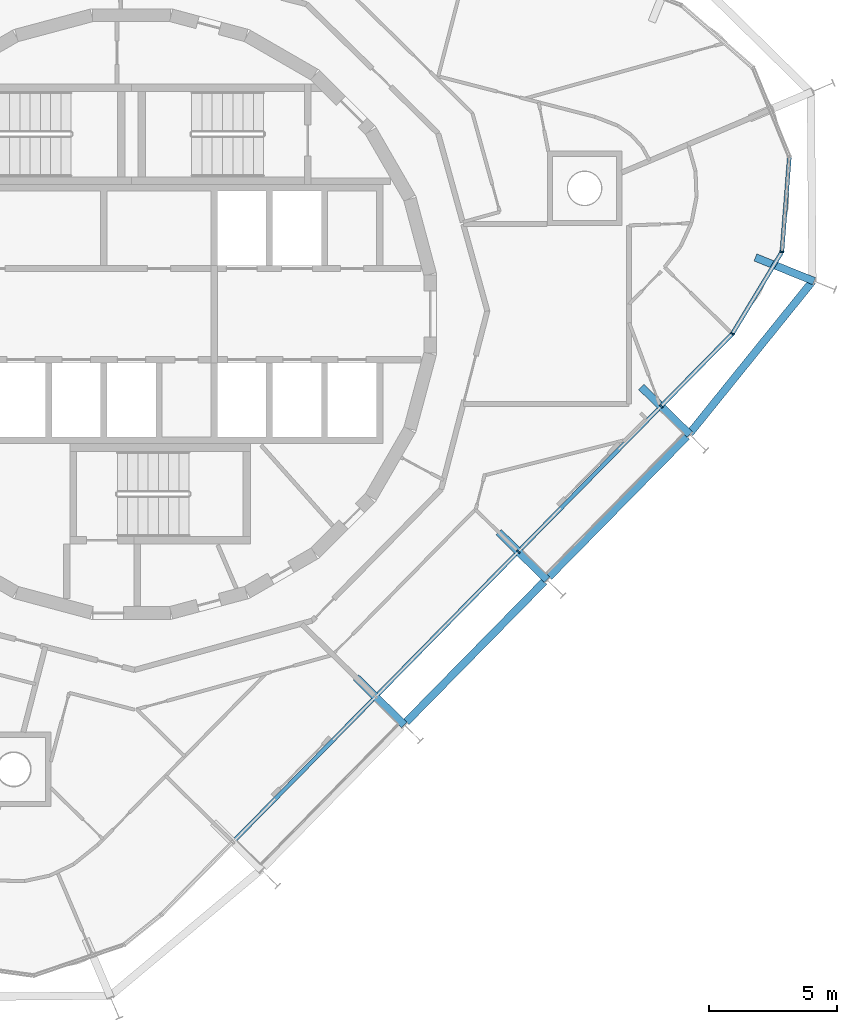
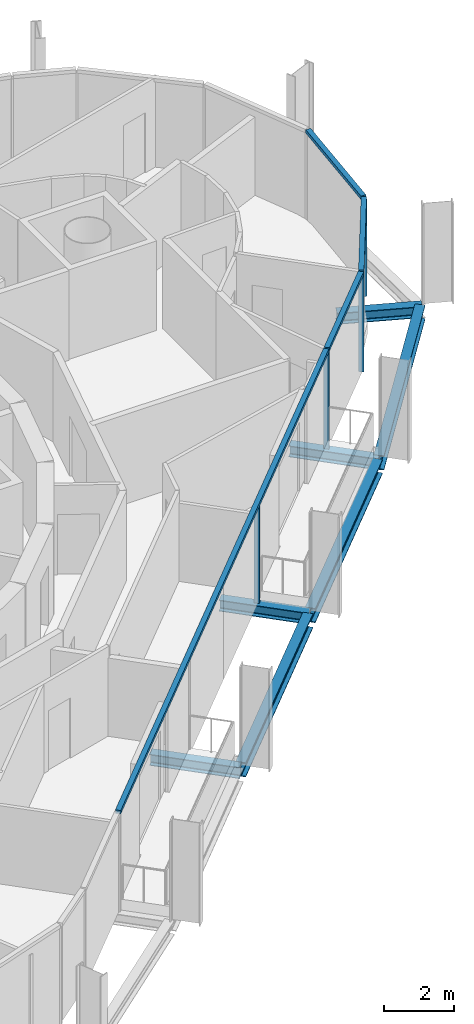
# One storey, part 4 of 15: 8 members, 7 beams, 2 elements without a shape of their own.
"""IFC4 building model written with IfcOpenShell, lengths in metres."""

from ifc_helpers import new_model, si_unit, direction, frame, origin, origin_2d, place, context, subcontext, project, spatial, rectangle, i_section, extrude, material, layer, layer_set, material_profile, profile_set, type_object, element, aggregate, save


model = new_model("IFC4")

# Units and contexts
model_context = context("Model", 3, precision=1e-05, world=origin(), true_north=direction((0.0, 1.0)))
body_context = subcontext(model_context, "Body", "Model", "MODEL_VIEW")
ifc_project = project(units=[si_unit("LENGTHUNIT", "METRE"), si_unit("AREAUNIT", "SQUARE_METRE"), si_unit("VOLUMEUNIT", "CUBIC_METRE"), si_unit("PLANEANGLEUNIT", "RADIAN"), si_unit("MASSUNIT", "GRAM", prefix="KILO")], contexts=[model_context])

# Site, building, storey
site_placement = place(None, origin())
site = spatial("IfcSite", under=ifc_project, at=site_placement, CompositionType="ELEMENT")
building_placement = place(site_placement, origin())
building = spatial("IfcBuilding", under=site, at=building_placement, Name="Spindle Arch Residences", CompositionType="ELEMENT")
storey_placement = place(building_placement, frame((0.0, 0.0, 305.199951171875)))
storey = spatial("IfcBuildingStorey", under=building, at=storey_placement, Name="L78", CompositionType="ELEMENT", Elevation=305.199951171875)

# Curtain wall, members
ifc_material_1 = material(Name="Aluminium bronze unitised frame with tinted glass", Category="aluminium")
ifc_layer_1 = layer(ifc_material_1, 0.159912109375)
ifc_layer_set_1 = layer_set([ifc_layer_1], Name="CW-D corner wall on the fillet arcs")
curtain_wall_type_1 = type_object("IfcCurtainWallType", Name="CW-D corner wall on the fillet arcs", PredefinedType="NOTDEFINED", material=ifc_layer_set_1)
curtain_wall_1_placement = place(storey_placement, origin())
curtain_wall_1 = element("IfcCurtainWall", 1, at=curtain_wall_1_placement, inside=storey, type_object=curtain_wall_type_1, Name="CW-D L78 run 1", PredefinedType="NOTDEFINED")
ifc_material_2 = material(Name="Aluminium bronze anodised mullion", Category="aluminium")
ifc_material_profile_1 = material_profile(ifc_material_2, rectangle(XDim=0.159912109375, YDim=0.06005859375, at=origin_2d()), Name="MU 60x160")
ifc_profile_set_1 = profile_set([ifc_material_profile_1], Name="Aluminium bronze anodised mullion")
member_type_1 = type_object("IfcMemberType", Name="Bronze mullion 60x160", PredefinedType="MULLION", material=ifc_profile_set_1)
member_1_placement = place(storey_placement, frame((20.642333984375, -3.597412109375, -0.3798828125), z_axis=(0.0, 0.0, 1.0), x_axis=(-0.713250449154, 0.7009092643, 0.0)))
member_1 = element("IfcMember", 2, at=member_1_placement, type_object=member_type_1, Name="CW-D mullion 00", PredefinedType="MULLION", context=body_context, shape_type="SweptSolid", body=[
    extrude(rectangle(XDim=0.159912109375, YDim=0.06005859375, at=origin_2d()), origin(), (0.0, 0.0, 1.0), 3.3798828125),
])
member_2_placement = place(storey_placement, frame((23.42578125, -0.76513671875, -0.3798828125), z_axis=(0.0, 0.0, 1.0), x_axis=(-0.855665492936, 0.517529288252, 0.0)))
member_2 = element("IfcMember", 3, at=member_2_placement, type_object=member_type_1, Name="CW-D mullion 01", PredefinedType="MULLION", context=body_context, shape_type="SweptSolid", body=[
    extrude(rectangle(XDim=0.159912109375, YDim=0.06005859375, at=origin_2d()), origin(), (0.0, 0.0, 1.0), 3.3798828125),
])
member_3_placement = place(storey_placement, frame((25.3544921875, 2.423828125, -0.3798828125), z_axis=(0.0, 0.0, 1.0), x_axis=(-0.996917334032, 0.078459091935, 0.0)))
member_3 = element("IfcMember", 4, at=member_3_placement, type_object=member_type_1, Name="CW-D mullion 02", PredefinedType="MULLION", context=body_context, shape_type="SweptSolid", body=[
    extrude(rectangle(XDim=0.159912109375, YDim=0.06005859375, at=origin_2d()), origin(), (0.0, 0.0, 1.0), 3.3798828125),
])

# Curtain wall, member
ifc_material_3 = material(Name="Aluminium bronze unitised frame with tinted glass", Category="aluminium")
ifc_layer_2 = layer(ifc_material_3, 0.159912109375)
ifc_layer_set_2 = layer_set([ifc_layer_2], Name="CW-C typical residential unitised wall")
curtain_wall_type_2 = type_object("IfcCurtainWallType", Name="CW-C typical residential unitised wall", PredefinedType="NOTDEFINED", material=ifc_layer_set_2)
curtain_wall_2_placement = place(storey_placement, origin())
curtain_wall_2 = element("IfcCurtainWall", 5, at=curtain_wall_2_placement, inside=storey, type_object=curtain_wall_type_2, Name="CW-C L78 run 6", PredefinedType="NOTDEFINED")
member_4_placement = place(storey_placement, frame((15.08056640625, -9.257080078125, -0.3798828125), z_axis=(0.0, 0.0, 1.0), x_axis=(-0.713250449154, 0.7009092643, 0.0)))
member_4 = element("IfcMember", 6, at=member_4_placement, type_object=member_type_1, Name="CW-C mullion 00", PredefinedType="MULLION", context=body_context, shape_type="SweptSolid", body=[
    extrude(rectangle(XDim=0.159912109375, YDim=0.06005859375, at=origin_2d()), origin(), (0.0, 0.0, 1.0), 3.3798828125),
])

# Member
ifc_material_4 = material(Name="Aluminium bronze anodised transom", Category="aluminium")
ifc_material_profile_2 = material_profile(ifc_material_4, rectangle(XDim=0.159912109375, YDim=0.1201171875, at=origin_2d()), Name="TR 120x160")
ifc_profile_set_2 = profile_set([ifc_material_profile_2], Name="Aluminium bronze anodised transom")
member_type_2 = type_object("IfcMemberType", Name="Bronze transom 120x160", PredefinedType="USERDEFINED", material=ifc_profile_set_2)
member_5_placement = place(storey_placement, frame((20.663330078125, -3.575927734375, 3.06005859375), z_axis=(0.70089977121, 0.713259777863, 0.0), x_axis=(-0.713259777863, 0.70089977121, 0.0)))
member_5 = element("IfcMember", 7, at=member_5_placement, type_object=member_type_2, Name="CW-D transom 00", ObjectType="TRANSOM", PredefinedType="USERDEFINED", context=body_context, shape_type="SweptSolid", body=[
    extrude(rectangle(XDim=0.159912109375, YDim=0.1201171875, at=origin_2d()), origin(), (0.0, 0.0, 1.0), 3.910888671875),
])

member_6_placement = place(storey_placement, frame((23.441162109375, -0.739501953125, 3.06005859375), z_axis=(0.517517977751, 0.855672333726, 0.0), x_axis=(-0.855672333726, 0.517517977751, 0.0)))
member_6 = element("IfcMember", 8, at=member_6_placement, type_object=member_type_2, Name="CW-D transom 01", ObjectType="TRANSOM", PredefinedType="USERDEFINED", context=body_context, shape_type="SweptSolid", body=[
    extrude(rectangle(XDim=0.159912109375, YDim=0.1201171875, at=origin_2d()), origin(), (0.0, 0.0, 1.0), 3.6669921875),
])

member_7_placement = place(storey_placement, frame((25.356689453125, 2.45361328125, 3.06005859375), z_axis=(0.078498754798, 0.996914211703, 0.0), x_axis=(-0.996914211703, 0.078498754798, 0.0)))
member_7 = element("IfcMember", 9, at=member_7_placement, type_object=member_type_2, Name="CW-D transom 02", ObjectType="TRANSOM", PredefinedType="USERDEFINED", context=body_context, shape_type="SweptSolid", body=[
    extrude(rectangle(XDim=0.159912109375, YDim=0.1201171875, at=origin_2d()), origin(), (0.0, 0.0, 1.0), 3.666748046875),
])

aggregate(curtain_wall_1, [member_1, member_5, member_2, member_6, member_3, member_7])

member_8_placement = place(storey_placement, frame((3.97802734375, -20.55517578125, 3.06005859375), z_axis=(0.700905736119, 0.71325391627, 0.0), x_axis=(-0.71325391627, 0.700905736119, 0.0)))
member_8 = element("IfcMember", 10, at=member_8_placement, type_object=member_type_2, Name="CW-C transom 00", ObjectType="TRANSOM", PredefinedType="USERDEFINED", context=body_context, shape_type="SweptSolid", body=[
    extrude(rectangle(XDim=0.159912109375, YDim=0.1201171875, at=origin_2d()), origin(), (0.0, 0.0, 1.0), 23.745361328125),
])

aggregate(curtain_wall_2, [member_8, member_4])

# Beams
ifc_material_5 = material(Name="Steel S460ML, intumescent coating R 120", Category="steel")
ifc_material_profile_3 = material_profile(ifc_material_5, i_section(OverallWidth=0.300048828125, OverallDepth=0.5, WebThickness=0.014404296875, FlangeThickness=0.028076171875, FilletRadius=0.027099609375, at=origin_2d()), Name="HEB 500")
ifc_profile_set_3 = profile_set([ifc_material_profile_3], Name="Steel S460ML, intumescent coating R 120")
beam_type_1 = type_object("IfcBeamType", Name="Exoskeleton edge beam HEB 500", PredefinedType="BEAM", material=ifc_profile_set_3)
beam_1_placement = place(storey_placement, frame((16.270263671875, -10.24365234375, -0.6298828125), z_axis=(0.700908648812, 0.713251053992, 0.0), x_axis=(-0.713251053992, 0.700908648812, 0.0)))
element("IfcBeam", 11, at=beam_1_placement, inside=storey, type_object=beam_type_1, Name="Exoskeleton edge beam 1", PredefinedType="BEAM", context=body_context, shape_type="SweptSolid", body=[
    extrude(i_section(OverallWidth=0.300048828125, OverallDepth=0.5, WebThickness=0.014404296875, FlangeThickness=0.028076171875, FilletRadius=0.027099609375, at=origin_2d()), origin(), (0.0, 0.0, 1.0), 7.6748046875),
])
beam_2_placement = place(storey_placement, frame((21.763427734375, -4.648681640625, -0.6298828125), z_axis=(0.627986894279, 0.778223914188, 0.0), x_axis=(-0.778223914188, 0.627986894279, 0.0)))
element("IfcBeam", 12, at=beam_2_placement, inside=storey, type_object=beam_type_1, Name="Exoskeleton edge beam 2", PredefinedType="BEAM", context=body_context, shape_type="SweptSolid", body=[
    extrude(i_section(OverallWidth=0.300048828125, OverallDepth=0.5, WebThickness=0.014404296875, FlangeThickness=0.028076171875, FilletRadius=0.027099609375, at=origin_2d()), origin(), (0.0, 0.0, 1.0), 7.611572265625),
])
beam_3_placement = place(storey_placement, frame((10.70849609375, -15.9033203125, -0.6298828125), z_axis=(0.700908648812, 0.713251053992, 0.0), x_axis=(-0.713251053992, 0.700908648812, 0.0)))
element("IfcBeam", 13, at=beam_3_placement, inside=storey, type_object=beam_type_1, Name="Exoskeleton edge beam 20", PredefinedType="BEAM", context=body_context, shape_type="SweptSolid", body=[
    extrude(i_section(OverallWidth=0.300048828125, OverallDepth=0.5, WebThickness=0.014404296875, FlangeThickness=0.028076171875, FilletRadius=0.027099609375, at=origin_2d()), origin(), (0.0, 0.0, 1.0), 7.6748046875),
])
ifc_material_6 = material(Name="Steel S460ML, intumescent coating R 120", Category="steel")
ifc_material_profile_4 = material_profile(ifc_material_6, i_section(OverallWidth=0.300048828125, OverallDepth=0.389892578125, WebThickness=0.010986328125, FlangeThickness=0.01904296875, FilletRadius=0.027099609375, at=origin_2d()), Name="HEA 400")
ifc_profile_set_4 = profile_set([ifc_material_profile_4], Name="Steel S460ML, intumescent coating R 120")
beam_type_2 = type_object("IfcBeamType", Name="Floor outrigger HEA 400", PredefinedType="BEAM", material=ifc_profile_set_4)
for number, where, z_axis, x_axis, name in (
    (14, (16.200439453125, -10.357421875, -0.574951171875), (-0.713252393258, 0.70090728596, 0.0), (-0.70090728596, -0.713252393258, 0.0), "Floor outrigger 1"),
    (15, (21.76220703125, -4.69775390625, -0.574951171875), (-0.713252393258, 0.70090728596, 0.0), (-0.70090728596, -0.713252393258, 0.0), "Floor outrigger 2"),
):
    element("IfcBeam", number, at=place(storey_placement, frame(where, z_axis=z_axis, x_axis=x_axis)), inside=storey, type_object=beam_type_2, Name=name, PredefinedType="BEAM", context=body_context, shape_type="SweptSolid", body=[
        extrude(i_section(OverallWidth=0.300048828125, OverallDepth=0.389892578125, WebThickness=0.010986328125, FlangeThickness=0.01904296875, FilletRadius=0.027099609375, at=origin_2d()), origin(), (0.0, 0.0, 1.0), 2.650146484375),
    ])
beam_4_placement = place(storey_placement, frame((26.609130859375, 1.281494140625, -0.574951171875), z_axis=(-0.927112260651, 0.374783745846, 0.0), x_axis=(-0.374783745846, -0.927112260651, 0.0)))
element("IfcBeam", 16, at=beam_4_placement, inside=storey, type_object=beam_type_2, Name="Floor outrigger 3", PredefinedType="BEAM", context=body_context, shape_type="SweptSolid", body=[
    extrude(i_section(OverallWidth=0.300048828125, OverallDepth=0.389892578125, WebThickness=0.010986328125, FlangeThickness=0.01904296875, FilletRadius=0.027099609375, at=origin_2d()), origin(), (0.0, 0.0, 1.0), 2.466796875),
])
beam_5_placement = place(storey_placement, frame((10.638671875, -16.01708984375, -0.574951171875), z_axis=(-0.713298451505, 0.700860413407, 0.0), x_axis=(-0.700860413407, -0.713298451505, 0.0)))
element("IfcBeam", 17, at=beam_5_placement, inside=storey, type_object=beam_type_2, Name="Floor outrigger 20", PredefinedType="BEAM", context=body_context, shape_type="SweptSolid", body=[
    extrude(i_section(OverallWidth=0.300048828125, OverallDepth=0.389892578125, WebThickness=0.010986328125, FlangeThickness=0.01904296875, FilletRadius=0.027099609375, at=origin_2d()), origin(), (0.0, 0.0, 1.0), 2.64990234375),
])

save(model, "model.ifc")
